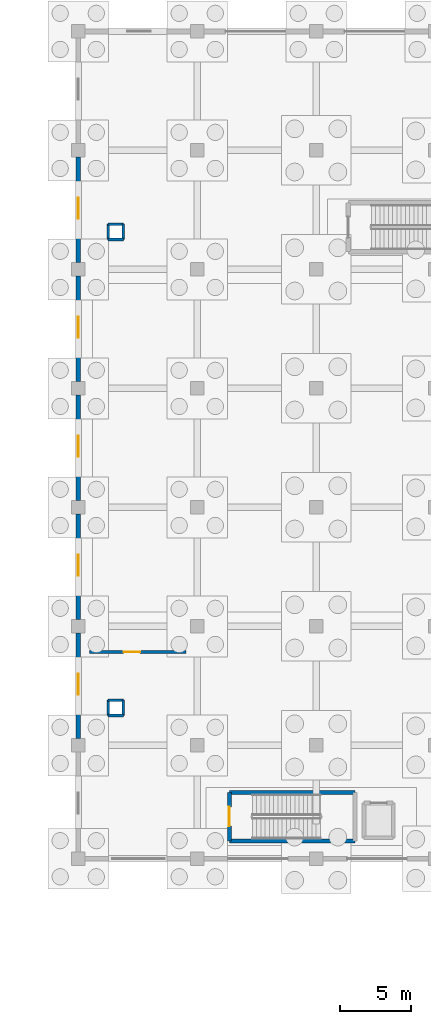
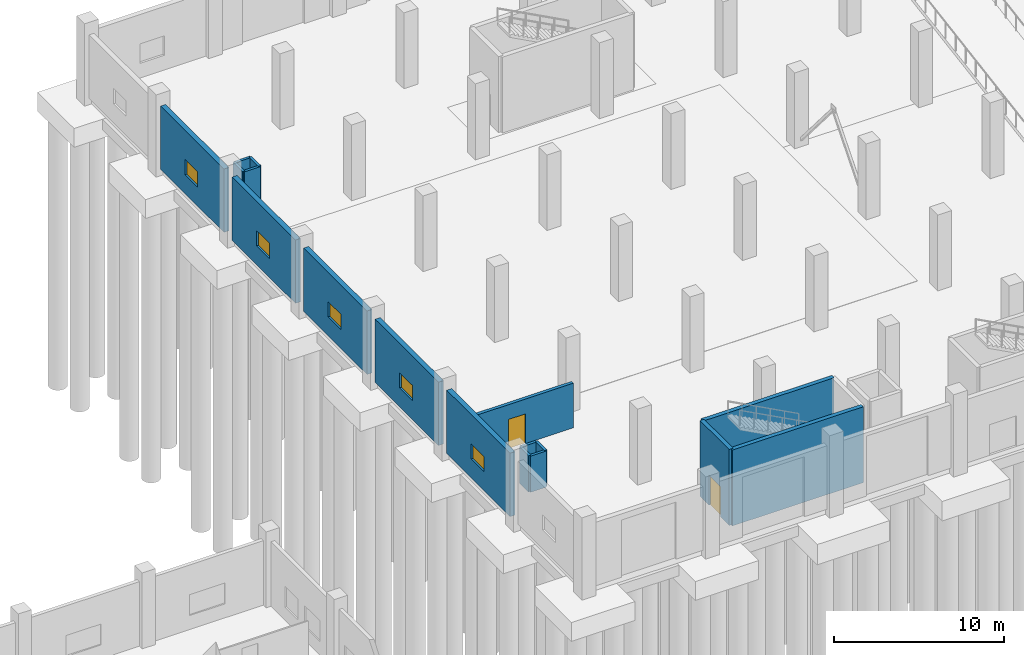
# One storey, part 54 of 83: 17 walls, 5 windows, 2 doors, 7 openings.
"""IFC4 building model written with IfcOpenShell, lengths in metres."""

from ifc_helpers import new_model, si_unit, direction, frame, frame_2d, origin, place, context, subcontext, project, spatial, rectangle, extrude, material, layer, layer_set, type_object, element, fill, save


model = new_model("IFC4")

# Units and contexts
model_context = context("Model", 3, precision=1e-05, world=origin(), true_north=direction((0.0, 1.0)))
body_context = subcontext(model_context, "Body", "Model", "MODEL_VIEW")
ifc_project = project(units=[si_unit("LENGTHUNIT", "METRE"), si_unit("AREAUNIT", "SQUARE_METRE"), si_unit("VOLUMEUNIT", "CUBIC_METRE"), si_unit("PLANEANGLEUNIT", "RADIAN"), si_unit("MASSUNIT", "GRAM", prefix="KILO"), si_unit("THERMODYNAMICTEMPERATUREUNIT", "KELVIN"), si_unit("POWERUNIT", "WATT")], contexts=[model_context])

# Site, building, storey
site_placement = place(None, origin())
site = spatial("IfcSite", under=ifc_project, at=site_placement, CompositionType="ELEMENT")
building_placement = place(site_placement, origin())
building = spatial("IfcBuilding", under=site, at=building_placement, Name="Mavoryth Pier Ferry Terminal", CompositionType="ELEMENT")
storey_placement = place(building_placement, origin())
storey = spatial("IfcBuildingStorey", under=building, at=storey_placement, Name="L00", CompositionType="ELEMENT", Elevation=0.0)

# Walls
ifc_material_1 = material(Name="Concrete C40/50", Category="concrete")
ifc_layer_1 = layer(ifc_material_1, 0.280029296875, Name="Concrete C40/50", Category="concrete")
ifc_layer_set_1 = layer_set([ifc_layer_1], Name="Concrete C40/50 - CoreWall-Shear-RC280")
wall_type_1 = type_object("IfcWallType", Name="CoreWall-Shear-RC280", PredefinedType="SHEAR", material=ifc_layer_set_1)
for number, where, z_axis, x_axis, name in (
    (1, (119.860107421875, 15.260009765625, 0.0), (0.0, 0.0, 1.0), (1.0, 0.0, 0.0), "Interior Wall IW-L00-0133"),
    (2, (119.860107421875, 18.68994140625, 0.0), (0.0, 0.0, 1.0), (1.0, 0.0, 0.0), "Interior Wall IW-L00-0134"),
):
    element("IfcWall", number, at=place(storey_placement, frame(where, z_axis=z_axis, x_axis=x_axis)), inside=storey, type_object=wall_type_1, Name=name, PredefinedType="SHEAR", context=body_context, shape_type="SweptSolid", body=[
        extrude(rectangle(XDim=8.8798828125, YDim=0.280029296875, at=frame_2d((4.43994140625, 0.0))), origin(), (0.0, 0.0, 1.0), 5.43994140625),
    ])

# Wall, opening, door
wall_1_placement = place(storey_placement, frame((119.860107421875, 18.68994140625, 0.0), z_axis=(0.0, 0.0, 1.0), x_axis=(0.0, -1.0, 0.0)))
wall_1 = element("IfcWall", 3, at=wall_1_placement, inside=storey, type_object=wall_type_1, Name="Interior Wall IW-L00-0135", PredefinedType="SHEAR", context=body_context, shape_type="SweptSolid", body=[
    extrude(rectangle(XDim=3.429931640625, YDim=0.280029296875, at=frame_2d((1.71484375, 0.0))), origin(), (0.0, 0.0, 1.0), 5.43994140625),
])
opening_1_placement = place(wall_1_placement, frame((1.034912109375, 0.0, 0.0)))
opening_1 = element("IfcOpeningElement", 4, at=opening_1_placement, cuts=wall_1, Name="Opening ID02-034", PredefinedType="OPENING", context=body_context, shape_type="SweptSolid", body=[
    extrude(rectangle(XDim=1.360107421875, YDim=2.14990234375, at=frame_2d((0.68017578125, 1.074951171875))), frame((0.0, 0.14990234375, 0.0), z_axis=(0.0, -1.0, 0.0), x_axis=(1.0, 0.0, 0.0)), (0.0, 0.0, 1.0), 0.300048828125),
])
ifc_material_2 = material(Name="Painted Galvanised Steel Fire Door", Category="steel")
door_type_1 = type_object("IfcDoorType", Name="Door-StairFire-1360x2150", OperationType="NOTDEFINED", PredefinedType="DOOR", material=ifc_material_2)
door_1_placement = place(opening_1_placement, origin())
door_1 = element("IfcDoor", 5, at=door_1_placement, inside=storey, type_object=door_type_1, Name="Core C4A Stair Exit Door L00", OperationType="SINGLE_SWING_RIGHT", OverallHeight=2.14990234375, OverallWidth=1.360107421875, PredefinedType="DOOR", context=body_context, shape_type="SweptSolid", body=[
    extrude(rectangle(XDim=1.360107421875, YDim=2.14990234375, at=frame_2d((0.68017578125, 1.074951171875))), frame((0.0, 0.02490234375, 0.0), z_axis=(0.0, -1.0, 0.0), x_axis=(1.0, 0.0, 0.0)), (0.0, 0.0, 1.0), 0.050048828125),
])
fill(opening_1, door_1)

# Wall, opening, window
ifc_material_3 = material(Name="Concrete C35/45", Category="concrete")
ifc_layer_2 = layer(ifc_material_3, 0.340087890625, Name="Concrete C35/45", Category="concrete")
ifc_layer_set_2 = layer_set([ifc_layer_2], Name="Concrete C35/45 - ExtWall-Plinth-RC340")
wall_type_2 = type_object("IfcWallType", Name="ExtWall-Plinth-RC340", PredefinedType="SOLIDWALL", material=ifc_layer_set_2)
wall_2_placement = place(storey_placement, frame((109.199951171875, 29.925048828125, 0.0), z_axis=(0.0, 0.0, 1.0), x_axis=(0.0, -1.0, 0.0)))
wall_2 = element("IfcWall", 6, at=wall_2_placement, inside=storey, type_object=wall_type_2, Name="Exterior Wall EW-L00-052", PredefinedType="SOLIDWALL", context=body_context, shape_type="SweptSolid", body=[
    extrude(rectangle(XDim=7.449951171875, YDim=0.340087890625, at=frame_2d((3.72509765625, 0.0))), origin(), (0.0, 0.0, 1.0), 4.544921875),
])
opening_2_placement = place(wall_2_placement, frame((2.864990234375, 0.0, 1.35009765625)))
opening_2 = element("IfcOpeningElement", 7, at=opening_2_placement, cuts=wall_2, Name="Opening WN19", PredefinedType="OPENING", context=body_context, shape_type="SweptSolid", body=[
    extrude(rectangle(XDim=1.5, YDim=1.10009765625, at=frame_2d((0.75, 0.550048828125))), frame((0.0, 0.179931640625, 0.0), z_axis=(0.0, -1.0, 0.0), x_axis=(1.0, 0.0, 0.0)), (0.0, 0.0, 1.0), 0.360107421875),
])
ifc_material_4 = material(Name="Thermally Broken Aluminium and Low-E Double Glazing", Category="aluminium")
window_type = type_object("IfcWindowType", Name="Win-Plant-1500x1100", PartitioningType="SINGLE_PANEL", PredefinedType="WINDOW", material=ifc_material_4)
window_1_placement = place(opening_2_placement, origin())
window_1 = element("IfcWindow", 8, at=window_1_placement, inside=storey, type_object=window_type, Name="Exterior Window 36", OverallHeight=1.10009765625, OverallWidth=1.5, PartitioningType="SINGLE_PANEL", PredefinedType="WINDOW", context=body_context, shape_type="SweptSolid", body=[
    extrude(rectangle(XDim=1.5, YDim=1.10009765625, at=frame_2d((0.75, 0.550048828125))), frame((0.0, 0.030029296875, 0.0), z_axis=(0.0, -1.0, 0.0), x_axis=(1.0, 0.0, 0.0)), (0.0, 0.0, 1.0), 0.06005859375),
])
fill(opening_2, window_1)

wall_3_placement = place(storey_placement, frame((109.199951171875, 38.324951171875, 0.0), z_axis=(0.0, 0.0, 1.0), x_axis=(0.0, -1.0, 0.0)))
wall_3 = element("IfcWall", 9, at=wall_3_placement, inside=storey, type_object=wall_type_2, Name="Exterior Wall EW-L00-054", PredefinedType="SOLIDWALL", context=body_context, shape_type="SweptSolid", body=[
    extrude(rectangle(XDim=7.449951171875, YDim=0.340087890625, at=frame_2d((3.72509765625, 0.0))), origin(), (0.0, 0.0, 1.0), 4.544921875),
])
opening_3_placement = place(wall_3_placement, frame((2.864990234375, 0.0, 1.35009765625)))
opening_3 = element("IfcOpeningElement", 10, at=opening_3_placement, cuts=wall_3, Name="Opening WN19", PredefinedType="OPENING", context=body_context, shape_type="SweptSolid", body=[
    extrude(rectangle(XDim=1.5, YDim=1.10009765625, at=frame_2d((0.75, 0.550048828125))), frame((0.0, 0.179931640625, 0.0), z_axis=(0.0, -1.0, 0.0), x_axis=(1.0, 0.0, 0.0)), (0.0, 0.0, 1.0), 0.360107421875),
])
window_2_placement = place(opening_3_placement, origin())
window_2 = element("IfcWindow", 11, at=window_2_placement, inside=storey, type_object=window_type, Name="Exterior Window 38", OverallHeight=1.10009765625, OverallWidth=1.5, PartitioningType="SINGLE_PANEL", PredefinedType="WINDOW", context=body_context, shape_type="SweptSolid", body=[
    extrude(rectangle(XDim=1.5, YDim=1.10009765625, at=frame_2d((0.75, 0.550048828125))), frame((0.0, 0.030029296875, 0.0), z_axis=(0.0, -1.0, 0.0), x_axis=(1.0, 0.0, 0.0)), (0.0, 0.0, 1.0), 0.06005859375),
])
fill(opening_3, window_2)

wall_4_placement = place(storey_placement, frame((109.199951171875, 46.72509765625, 0.0), z_axis=(0.0, 0.0, 1.0), x_axis=(0.0, -1.0, 0.0)))
wall_4 = element("IfcWall", 12, at=wall_4_placement, inside=storey, type_object=wall_type_2, Name="Exterior Wall EW-L00-056", PredefinedType="SOLIDWALL", context=body_context, shape_type="SweptSolid", body=[
    extrude(rectangle(XDim=7.4501953125, YDim=0.340087890625, at=frame_2d((3.72509765625, 0.0))), origin(), (0.0, 0.0, 1.0), 4.544921875),
])
opening_4_placement = place(wall_4_placement, frame((2.864990234375, 0.0, 1.35009765625)))
opening_4 = element("IfcOpeningElement", 13, at=opening_4_placement, cuts=wall_4, Name="Opening WN19", PredefinedType="OPENING", context=body_context, shape_type="SweptSolid", body=[
    extrude(rectangle(XDim=1.5, YDim=1.10009765625, at=frame_2d((0.75, 0.550048828125))), frame((0.0, 0.179931640625, 0.0), z_axis=(0.0, -1.0, 0.0), x_axis=(1.0, 0.0, 0.0)), (0.0, 0.0, 1.0), 0.360107421875),
])
window_3_placement = place(opening_4_placement, origin())
window_3 = element("IfcWindow", 14, at=window_3_placement, inside=storey, type_object=window_type, Name="Exterior Window 40", OverallHeight=1.10009765625, OverallWidth=1.5, PartitioningType="SINGLE_PANEL", PredefinedType="WINDOW", context=body_context, shape_type="SweptSolid", body=[
    extrude(rectangle(XDim=1.5, YDim=1.10009765625, at=frame_2d((0.75, 0.550048828125))), frame((0.0, 0.030029296875, 0.0), z_axis=(0.0, -1.0, 0.0), x_axis=(1.0, 0.0, 0.0)), (0.0, 0.0, 1.0), 0.06005859375),
])
fill(opening_4, window_3)

wall_5_placement = place(storey_placement, frame((109.199951171875, 55.125, 0.0), z_axis=(0.0, 0.0, 1.0), x_axis=(0.0, -1.0, 0.0)))
wall_5 = element("IfcWall", 15, at=wall_5_placement, inside=storey, type_object=wall_type_2, Name="Exterior Wall EW-L00-058", PredefinedType="SOLIDWALL", context=body_context, shape_type="SweptSolid", body=[
    extrude(rectangle(XDim=7.449951171875, YDim=0.340087890625, at=frame_2d((3.72509765625, 0.0))), origin(), (0.0, 0.0, 1.0), 4.544921875),
])
opening_5_placement = place(wall_5_placement, frame((2.864990234375, 0.0, 1.35009765625)))
opening_5 = element("IfcOpeningElement", 16, at=opening_5_placement, cuts=wall_5, Name="Opening WN19", PredefinedType="OPENING", context=body_context, shape_type="SweptSolid", body=[
    extrude(rectangle(XDim=1.5, YDim=1.10009765625, at=frame_2d((0.75, 0.550048828125))), frame((0.0, 0.179931640625, 0.0), z_axis=(0.0, -1.0, 0.0), x_axis=(1.0, 0.0, 0.0)), (0.0, 0.0, 1.0), 0.360107421875),
])
window_4_placement = place(opening_5_placement, origin())
window_4 = element("IfcWindow", 17, at=window_4_placement, inside=storey, type_object=window_type, Name="Exterior Window 42", OverallHeight=1.10009765625, OverallWidth=1.5, PartitioningType="SINGLE_PANEL", PredefinedType="WINDOW", context=body_context, shape_type="SweptSolid", body=[
    extrude(rectangle(XDim=1.5, YDim=1.10009765625, at=frame_2d((0.75, 0.550048828125))), frame((0.0, 0.030029296875, 0.0), z_axis=(0.0, -1.0, 0.0), x_axis=(1.0, 0.0, 0.0)), (0.0, 0.0, 1.0), 0.06005859375),
])
fill(opening_5, window_4)

wall_6_placement = place(storey_placement, frame((109.199951171875, 63.52490234375, 0.0), z_axis=(0.0, 0.0, 1.0), x_axis=(0.0, -1.0, 0.0)))
wall_6 = element("IfcWall", 18, at=wall_6_placement, inside=storey, type_object=wall_type_2, Name="Exterior Wall EW-L00-060", PredefinedType="SOLIDWALL", context=body_context, shape_type="SweptSolid", body=[
    extrude(rectangle(XDim=7.449951171875, YDim=0.340087890625, at=frame_2d((3.72509765625, 0.0))), origin(), (0.0, 0.0, 1.0), 4.544921875),
])
opening_6_placement = place(wall_6_placement, frame((2.864990234375, 0.0, 1.35009765625)))
opening_6 = element("IfcOpeningElement", 19, at=opening_6_placement, cuts=wall_6, Name="Opening WN19", PredefinedType="OPENING", context=body_context, shape_type="SweptSolid", body=[
    extrude(rectangle(XDim=1.5, YDim=1.10009765625, at=frame_2d((0.75, 0.550048828125))), frame((0.0, 0.179931640625, 0.0), z_axis=(0.0, -1.0, 0.0), x_axis=(1.0, 0.0, 0.0)), (0.0, 0.0, 1.0), 0.360107421875),
])
window_5_placement = place(opening_6_placement, origin())
window_5 = element("IfcWindow", 20, at=window_5_placement, inside=storey, type_object=window_type, Name="Exterior Window 44", OverallHeight=1.10009765625, OverallWidth=1.5, PartitioningType="SINGLE_PANEL", PredefinedType="WINDOW", context=body_context, shape_type="SweptSolid", body=[
    extrude(rectangle(XDim=1.5, YDim=1.10009765625, at=frame_2d((0.75, 0.550048828125))), frame((0.0, 0.030029296875, 0.0), z_axis=(0.0, -1.0, 0.0), x_axis=(1.0, 0.0, 0.0)), (0.0, 0.0, 1.0), 0.06005859375),
])
fill(opening_6, window_5)

# Wall, opening, door
ifc_layer_3 = layer(ifc_material_3, 0.219970703125, Name="Concrete C35/45", Category="concrete")
ifc_layer_set_3 = layer_set([ifc_layer_3], Name="Concrete C35/45 - IntWall-FireComp-220")
wall_type_3 = type_object("IfcWallType", Name="IntWall-FireComp-220", PredefinedType="SOLIDWALL", material=ifc_layer_set_3)
wall_7_placement = place(storey_placement, frame((110.0, 28.60009765625, 0.0), z_axis=(0.0, 0.0, 1.0), x_axis=(1.0, 0.0, 0.0)))
wall_7 = element("IfcWall", 21, at=wall_7_placement, inside=storey, type_object=wall_type_3, Name="Interior Wall IW-L00-0430", PredefinedType="SOLIDWALL", context=body_context, shape_type="SweptSolid", body=[
    extrude(rectangle(XDim=6.800048828125, YDim=0.219970703125, at=frame_2d((3.39990234375, 0.0))), origin(), (0.0, 0.0, 1.0), 3.199951171875),
])
opening_7_placement = place(wall_7_placement, frame((2.39990234375, 0.0, 0.0)))
opening_7 = element("IfcOpeningElement", 22, at=opening_7_placement, cuts=wall_7, Name="Opening ID14-098", PredefinedType="OPENING", context=body_context, shape_type="SweptSolid", body=[
    extrude(rectangle(XDim=1.159912109375, YDim=2.139892578125, at=frame_2d((0.580078125, 1.06982421875))), frame((0.0, 0.119873046875, 0.0), z_axis=(0.0, -1.0, 0.0), x_axis=(1.0, 0.0, 0.0)), (0.0, 0.0, 1.0), 0.239990234375),
])
ifc_material_5 = material(Name="Painted Steel Utility Door", Category="steel")
door_type_2 = type_object("IfcDoorType", Name="Door-Store-1160x2140", OperationType="NOTDEFINED", PredefinedType="DOOR", material=ifc_material_5)
door_2_placement = place(opening_7_placement, origin())
door_2 = element("IfcDoor", 23, at=door_2_placement, inside=storey, type_object=door_type_2, Name="Interior Door ID14-098", OperationType="SINGLE_SWING_RIGHT", OverallHeight=2.139892578125, OverallWidth=1.159912109375, PredefinedType="DOOR", context=body_context, shape_type="SweptSolid", body=[
    extrude(rectangle(XDim=1.159912109375, YDim=2.139892578125, at=frame_2d((0.580078125, 1.06982421875))), frame((0.0, 0.02490234375, 0.0), z_axis=(0.0, -1.0, 0.0), x_axis=(1.0, 0.0, 0.0)), (0.0, 0.0, 1.0), 0.050048828125),
])
fill(opening_7, door_2)

# Walls
ifc_material_6 = material(Name="Autoclaved Aerated Concrete Blockwork", Category="masonry")
ifc_layer_4 = layer(ifc_material_6, 0.179931640625, Name="Autoclaved Aerated Concrete Blockwork", Category="masonry")
ifc_layer_set_4 = layer_set([ifc_layer_4], Name="Autoclaved Aerated Concrete Blockwork - IntWall-PlantRated-180")
wall_type_4 = type_object("IfcWallType", Name="IntWall-PlantRated-180", PredefinedType="SOLIDWALL", material=ifc_layer_set_4)
for number, where, z_axis, x_axis, name in (
    (24, (111.31005859375, 24.110107421875, 0.0), (0.0, 0.0, 1.0), (1.0, 0.0, 0.0), "Interior Wall IW-L00-0329"),
    (25, (112.389892578125, 24.110107421875, 0.0), (0.0, 0.0, 1.0), (0.0, 1.0, 0.0), "Interior Wall IW-L00-0330"),
    (26, (112.389892578125, 25.18994140625, 0.0), (0.0, 0.0, 1.0), (-1.0, 0.0, 0.0), "Interior Wall IW-L00-0331"),
    (27, (111.31005859375, 25.18994140625, 0.0), (0.0, 0.0, 1.0), (0.0, -1.0, 0.0), "Interior Wall IW-L00-0332"),
    (28, (111.31005859375, 57.7099609375, 0.0), (0.0, 0.0, 1.0), (1.0, 0.0, 0.0), "Interior Wall IW-L00-0333"),
):
    element("IfcWall", number, at=place(storey_placement, frame(where, z_axis=z_axis, x_axis=x_axis)), inside=storey, type_object=wall_type_4, Name=name, PredefinedType="SOLIDWALL", context=body_context, shape_type="SweptSolid", body=[
        extrude(rectangle(XDim=1.079833984375, YDim=0.179931640625, at=frame_2d((0.5400390625, 0.0))), origin(), (0.0, 0.0, 1.0), 2.60009765625),
    ])
wall_8_placement = place(storey_placement, frame((112.389892578125, 57.7099609375, 0.0), z_axis=(0.0, 0.0, 1.0), x_axis=(0.0, 1.0, 0.0)))
element("IfcWall", 29, at=wall_8_placement, inside=storey, type_object=wall_type_4, Name="Interior Wall IW-L00-0334", PredefinedType="SOLIDWALL", context=body_context, shape_type="SweptSolid", body=[
    extrude(rectangle(XDim=1.080078125, YDim=0.179931640625, at=frame_2d((0.5400390625, 0.0))), origin(), (0.0, 0.0, 1.0), 2.60009765625),
])
wall_9_placement = place(storey_placement, frame((112.389892578125, 58.7900390625, 0.0), z_axis=(0.0, 0.0, 1.0), x_axis=(-1.0, 0.0, 0.0)))
element("IfcWall", 30, at=wall_9_placement, inside=storey, type_object=wall_type_4, Name="Interior Wall IW-L00-0335", PredefinedType="SOLIDWALL", context=body_context, shape_type="SweptSolid", body=[
    extrude(rectangle(XDim=1.079833984375, YDim=0.179931640625, at=frame_2d((0.5400390625, 0.0))), origin(), (0.0, 0.0, 1.0), 2.60009765625),
])
wall_10_placement = place(storey_placement, frame((111.31005859375, 58.7900390625, 0.0), z_axis=(0.0, 0.0, 1.0), x_axis=(0.0, -1.0, 0.0)))
element("IfcWall", 31, at=wall_10_placement, inside=storey, type_object=wall_type_4, Name="Interior Wall IW-L00-0336", PredefinedType="SOLIDWALL", context=body_context, shape_type="SweptSolid", body=[
    extrude(rectangle(XDim=1.080078125, YDim=0.179931640625, at=frame_2d((0.5400390625, 0.0))), origin(), (0.0, 0.0, 1.0), 2.60009765625),
])

save(model, "model.ifc")
